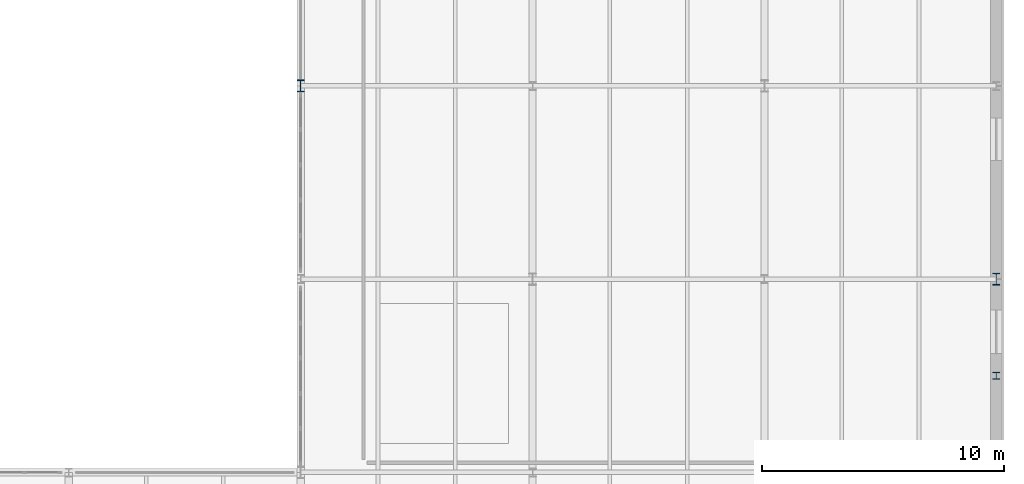
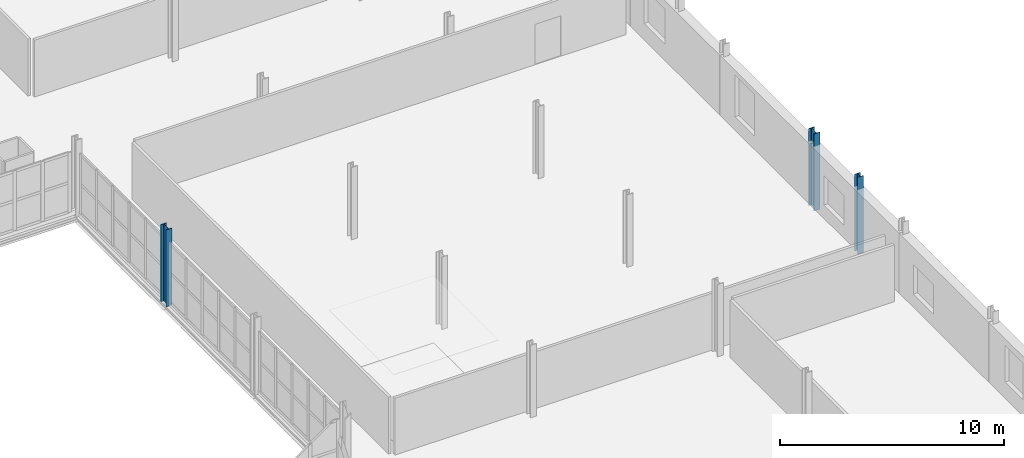
# One storey, part 25 of 78: 3 columns.
"""IFC4 building model written with IfcOpenShell, lengths in metres."""

from ifc_helpers import new_model, si_unit, direction, frame, origin, origin_2d, place, context, subcontext, project, spatial, i_section, extrude, material, material_profile, profile_set, type_object, element, save


model = new_model("IFC4")

# Units and contexts
model_context = context("Model", 3, precision=1e-05, world=origin(), true_north=direction((0.0, 1.0)))
body_context = subcontext(model_context, "Body", "Model", "MODEL_VIEW")
ifc_project = project(units=[si_unit("LENGTHUNIT", "METRE"), si_unit("AREAUNIT", "SQUARE_METRE"), si_unit("VOLUMEUNIT", "CUBIC_METRE"), si_unit("PLANEANGLEUNIT", "RADIAN"), si_unit("MASSUNIT", "GRAM", prefix="KILO")], contexts=[model_context])

# Site, building, storey
site_placement = place(None, origin())
site = spatial("IfcSite", under=ifc_project, at=site_placement, CompositionType="ELEMENT")
building_placement = place(site_placement, origin())
building = spatial("IfcBuilding", under=site, at=building_placement, Name="Alderhovde Museum", CompositionType="ELEMENT")
storey_placement = place(building_placement, frame((0.0, 0.0, 4.5)))
storey = spatial("IfcBuildingStorey", under=building, at=storey_placement, Name="L01", CompositionType="ELEMENT", Elevation=4.5)

# Columns
ifc_material_1 = material(Name="Steel S355J2", Category="steel")
ifc_material_profile_1 = material_profile(ifc_material_1, i_section(OverallWidth=0.300048828125, OverallDepth=0.5, WebThickness=0.014404296875, FlangeThickness=0.028076171875, FilletRadius=0.027099609375, at=origin_2d()), Name="HEB 500")
ifc_profile_set_1 = profile_set([ifc_material_profile_1], Name="Steel S355J2")
column_type_1 = type_object("IfcColumnType", Name="COL-HEB500", PredefinedType="COLUMN", material=ifc_profile_set_1)
for number, where, z_axis, x_axis, name in (
    (1, (144.0, 64.0, -0.260009765625), (0.0, 0.0, 1.0), (1.0, 0.0, 0.0), "L01 Column (144.0, 64.0)"),
    (2, (172.800048828125, 56.0, -0.260009765625), (0.0, 0.0, 1.0), (1.0, 0.0, 0.0), "L01 Column (172.8, 56.0)"),
):
    element("IfcColumn", number, at=place(storey_placement, frame(where, z_axis=z_axis, x_axis=x_axis)), inside=storey, type_object=column_type_1, Name=name, PredefinedType="COLUMN", context=body_context, shape_type="SweptSolid", body=[
        extrude(i_section(OverallWidth=0.300048828125, OverallDepth=0.5, WebThickness=0.014404296875, FlangeThickness=0.028076171875, FilletRadius=0.027099609375, at=origin_2d()), origin(), (0.0, 0.0, 1.0), 4.199951171875),
    ])
ifc_material_2 = material(Name="Steel S355J2", Category="steel")
ifc_material_profile_2 = material_profile(ifc_material_2, i_section(OverallWidth=0.300048828125, OverallDepth=0.2900390625, WebThickness=0.008544921875, FlangeThickness=0.013916015625, FilletRadius=0.027099609375, at=origin_2d()), Name="HEA 300")
ifc_profile_set_2 = profile_set([ifc_material_profile_2], Name="Steel S355J2")
column_type_2 = type_object("IfcColumnType", Name="PIL-HEA300", PredefinedType="PILASTER", material=ifc_profile_set_2)
column_placement = place(storey_placement, frame((172.800048828125, 52.0, -0.260009765625), z_axis=(0.0, 0.0, 1.0), x_axis=(1.0, 0.0, 0.0)))
element("IfcColumn", 3, at=column_placement, inside=storey, type_object=column_type_2, Name="L01 Structural Pilaster (172.8, 52.0)", PredefinedType="PILASTER", context=body_context, shape_type="SweptSolid", body=[
    extrude(i_section(OverallWidth=0.300048828125, OverallDepth=0.2900390625, WebThickness=0.008544921875, FlangeThickness=0.013916015625, FilletRadius=0.027099609375, at=origin_2d()), origin(), (0.0, 0.0, 1.0), 4.199951171875),
])

save(model, "model.ifc")
